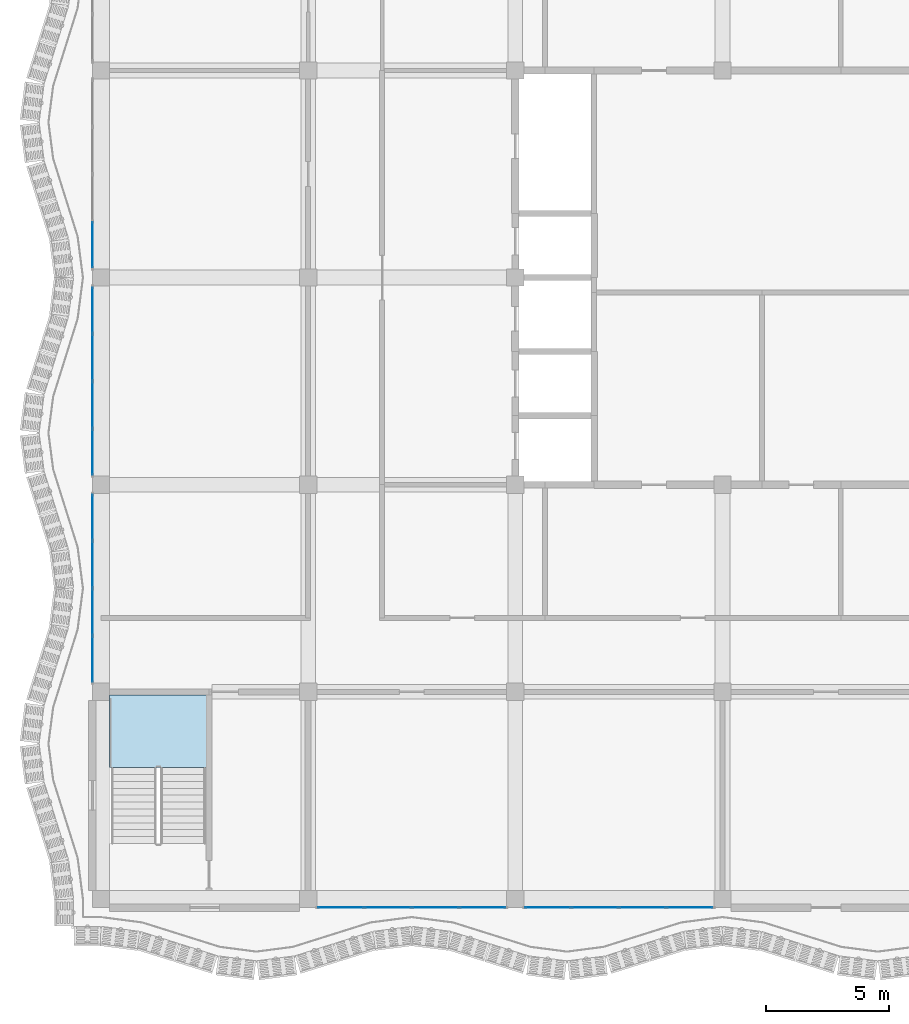
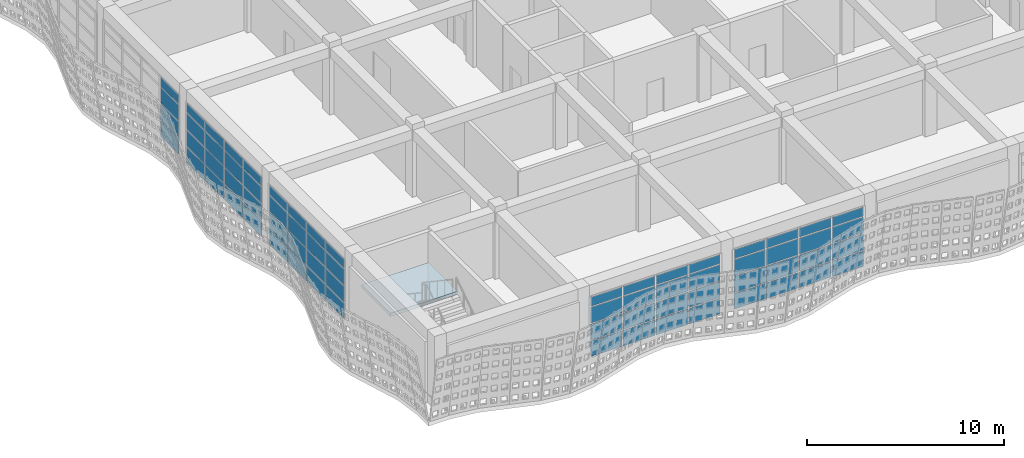
# One storey, part 96 of 163: 68 plates, 1 slab, 6 elements without a shape of their own.
"""IFC4 building model written with IfcOpenShell, lengths in metres."""

from ifc_helpers import new_model, si_unit, direction, frame, origin, origin_2d, place, context, subcontext, project, spatial, polyline, rectangle, outline, extrude, material, layer, layer_set, type_object, element, aggregate, save


model = new_model("IFC4")

# Units and contexts
model_context = context("Model", 3, precision=1e-05, world=origin(), true_north=direction((0.0, 1.0)))
body_context = subcontext(model_context, "Body", "Model", "MODEL_VIEW")
ifc_project = project(units=[si_unit("LENGTHUNIT", "METRE"), si_unit("AREAUNIT", "SQUARE_METRE"), si_unit("VOLUMEUNIT", "CUBIC_METRE"), si_unit("PLANEANGLEUNIT", "RADIAN"), si_unit("MASSUNIT", "GRAM", prefix="KILO")], contexts=[model_context])

# Site, building, storey
site_placement = place(None, origin())
site = spatial("IfcSite", under=ifc_project, at=site_placement, CompositionType="ELEMENT")
building_placement = place(site_placement, origin())
building = spatial("IfcBuilding", under=site, at=building_placement, Name="Rain Tree Exposition and Congress Centre", CompositionType="ELEMENT")
storey_placement = place(building_placement, frame((0.0, 0.0, 10.5)))
storey = spatial("IfcBuildingStorey", under=building, at=storey_placement, Name="L02", CompositionType="ELEMENT", Elevation=10.5)

# Curtain wall, plates
ifc_material_1 = material(Name="Aluminium curtain wall", Category="aluminium")
curtain_wall_type = type_object("IfcCurtainWallType", Name="Wing curtain wall 1925", PredefinedType="NOTDEFINED", material=ifc_material_1)
curtain_wall_1_placement = place(storey_placement, origin())
curtain_wall_1 = element("IfcCurtainWall", 1, at=curtain_wall_1_placement, inside=storey, type_object=curtain_wall_type, Name="Curtain wall CWW301", PredefinedType="NOTDEFINED")
ifc_material_2 = material(Name="Double glazed unit", Category="glass")
ifc_layer_1 = layer(ifc_material_2, 0.028076171875)
ifc_layer_set_1 = layer_set([ifc_layer_1], Name="Double glazed unit")
plate_type = type_object("IfcPlateType", Name="Wing glazing panel 28", PredefinedType="CURTAIN_PANEL", material=ifc_layer_set_1)
plate_1_placement = place(storey_placement, frame((9.7275390625, -0.35009765625, 0.06005859375), z_axis=(0.0, 0.0, 1.0), x_axis=(1.0, 0.0, 0.0)))
plate_1 = element("IfcPlate", 2, at=plate_1_placement, type_object=plate_type, Name="CWW301 panel 1.1", PredefinedType="CURTAIN_PANEL", context=body_context, shape_type="SweptSolid", body=[
    extrude(rectangle(XDim=1.8349609375, YDim=0.028076171875, at=origin_2d()), origin(), (0.0, 0.0, 1.0), 0.9599609375),
])
plate_2_placement = place(storey_placement, frame((9.7275390625, -0.35009765625, 1.080078125), z_axis=(0.0, 0.0, 1.0), x_axis=(1.0, 0.0, 0.0)))
plate_2 = element("IfcPlate", 3, at=plate_2_placement, type_object=plate_type, Name="CWW301 panel 1.2", PredefinedType="CURTAIN_PANEL", context=body_context, shape_type="SweptSolid", body=[
    extrude(rectangle(XDim=1.8349609375, YDim=0.028076171875, at=origin_2d()), origin(), (0.0, 0.0, 1.0), 0.989990234375),
])
plate_3_placement = place(storey_placement, frame((9.7275390625, -0.35009765625, 2.1298828125), z_axis=(0.0, 0.0, 1.0), x_axis=(1.0, 0.0, 0.0)))
plate_3 = element("IfcPlate", 4, at=plate_3_placement, type_object=plate_type, Name="CWW301 panel 1.3", PredefinedType="CURTAIN_PANEL", context=body_context, shape_type="SweptSolid", body=[
    extrude(rectangle(XDim=1.8349609375, YDim=0.028076171875, at=origin_2d()), origin(), (0.0, 0.0, 1.0), 0.989990234375),
])
plate_4_placement = place(storey_placement, frame((9.7275390625, -0.35009765625, 3.179931640625), z_axis=(0.0, 0.0, 1.0), x_axis=(1.0, 0.0, 0.0)))
plate_4 = element("IfcPlate", 5, at=plate_4_placement, type_object=plate_type, Name="CWW301 panel 1.4", PredefinedType="CURTAIN_PANEL", context=body_context, shape_type="SweptSolid", body=[
    extrude(rectangle(XDim=1.8349609375, YDim=0.028076171875, at=origin_2d()), origin(), (0.0, 0.0, 1.0), 0.56005859375),
])
plate_5_placement = place(storey_placement, frame((11.637451171875, -0.35009765625, 0.06005859375), z_axis=(0.0, 0.0, 1.0), x_axis=(1.0, 0.0, 0.0)))
plate_5 = element("IfcPlate", 6, at=plate_5_placement, type_object=plate_type, Name="CWW301 panel 2.1", PredefinedType="CURTAIN_PANEL", context=body_context, shape_type="SweptSolid", body=[
    extrude(rectangle(XDim=1.864990234375, YDim=0.028076171875, at=origin_2d()), origin(), (0.0, 0.0, 1.0), 0.9599609375),
])
plate_6_placement = place(storey_placement, frame((11.637451171875, -0.35009765625, 1.080078125), z_axis=(0.0, 0.0, 1.0), x_axis=(1.0, 0.0, 0.0)))
plate_6 = element("IfcPlate", 7, at=plate_6_placement, type_object=plate_type, Name="CWW301 panel 2.2", PredefinedType="CURTAIN_PANEL", context=body_context, shape_type="SweptSolid", body=[
    extrude(rectangle(XDim=1.864990234375, YDim=0.028076171875, at=origin_2d()), origin(), (0.0, 0.0, 1.0), 0.989990234375),
])
plate_7_placement = place(storey_placement, frame((11.637451171875, -0.35009765625, 2.1298828125), z_axis=(0.0, 0.0, 1.0), x_axis=(1.0, 0.0, 0.0)))
plate_7 = element("IfcPlate", 8, at=plate_7_placement, type_object=plate_type, Name="CWW301 panel 2.3", PredefinedType="CURTAIN_PANEL", context=body_context, shape_type="SweptSolid", body=[
    extrude(rectangle(XDim=1.864990234375, YDim=0.028076171875, at=origin_2d()), origin(), (0.0, 0.0, 1.0), 0.989990234375),
])
plate_8_placement = place(storey_placement, frame((11.637451171875, -0.35009765625, 3.179931640625), z_axis=(0.0, 0.0, 1.0), x_axis=(1.0, 0.0, 0.0)))
plate_8 = element("IfcPlate", 9, at=plate_8_placement, type_object=plate_type, Name="CWW301 panel 2.4", PredefinedType="CURTAIN_PANEL", context=body_context, shape_type="SweptSolid", body=[
    extrude(rectangle(XDim=1.864990234375, YDim=0.028076171875, at=origin_2d()), origin(), (0.0, 0.0, 1.0), 0.56005859375),
])
plate_9_placement = place(storey_placement, frame((13.5625, -0.35009765625, 0.06005859375), z_axis=(0.0, 0.0, 1.0), x_axis=(1.0, 0.0, 0.0)))
plate_9 = element("IfcPlate", 10, at=plate_9_placement, type_object=plate_type, Name="CWW301 panel 3.1", PredefinedType="CURTAIN_PANEL", context=body_context, shape_type="SweptSolid", body=[
    extrude(rectangle(XDim=1.864990234375, YDim=0.028076171875, at=origin_2d()), origin(), (0.0, 0.0, 1.0), 0.9599609375),
])
plate_10_placement = place(storey_placement, frame((13.5625, -0.35009765625, 1.080078125), z_axis=(0.0, 0.0, 1.0), x_axis=(1.0, 0.0, 0.0)))
plate_10 = element("IfcPlate", 11, at=plate_10_placement, type_object=plate_type, Name="CWW301 panel 3.2", PredefinedType="CURTAIN_PANEL", context=body_context, shape_type="SweptSolid", body=[
    extrude(rectangle(XDim=1.864990234375, YDim=0.028076171875, at=origin_2d()), origin(), (0.0, 0.0, 1.0), 0.989990234375),
])
plate_11_placement = place(storey_placement, frame((13.5625, -0.35009765625, 2.1298828125), z_axis=(0.0, 0.0, 1.0), x_axis=(1.0, 0.0, 0.0)))
plate_11 = element("IfcPlate", 12, at=plate_11_placement, type_object=plate_type, Name="CWW301 panel 3.3", PredefinedType="CURTAIN_PANEL", context=body_context, shape_type="SweptSolid", body=[
    extrude(rectangle(XDim=1.864990234375, YDim=0.028076171875, at=origin_2d()), origin(), (0.0, 0.0, 1.0), 0.989990234375),
])
plate_12_placement = place(storey_placement, frame((13.5625, -0.35009765625, 3.179931640625), z_axis=(0.0, 0.0, 1.0), x_axis=(1.0, 0.0, 0.0)))
plate_12 = element("IfcPlate", 13, at=plate_12_placement, type_object=plate_type, Name="CWW301 panel 3.4", PredefinedType="CURTAIN_PANEL", context=body_context, shape_type="SweptSolid", body=[
    extrude(rectangle(XDim=1.864990234375, YDim=0.028076171875, at=origin_2d()), origin(), (0.0, 0.0, 1.0), 0.56005859375),
])
plate_13_placement = place(storey_placement, frame((15.472412109375, -0.35009765625, 0.06005859375), z_axis=(0.0, 0.0, 1.0), x_axis=(1.0, 0.0, 0.0)))
plate_13 = element("IfcPlate", 14, at=plate_13_placement, type_object=plate_type, Name="CWW301 panel 4.1", PredefinedType="CURTAIN_PANEL", context=body_context, shape_type="SweptSolid", body=[
    extrude(rectangle(XDim=1.8349609375, YDim=0.028076171875, at=origin_2d()), origin(), (0.0, 0.0, 1.0), 0.9599609375),
])
plate_14_placement = place(storey_placement, frame((15.472412109375, -0.35009765625, 1.080078125), z_axis=(0.0, 0.0, 1.0), x_axis=(1.0, 0.0, 0.0)))
plate_14 = element("IfcPlate", 15, at=plate_14_placement, type_object=plate_type, Name="CWW301 panel 4.2", PredefinedType="CURTAIN_PANEL", context=body_context, shape_type="SweptSolid", body=[
    extrude(rectangle(XDim=1.8349609375, YDim=0.028076171875, at=origin_2d()), origin(), (0.0, 0.0, 1.0), 0.989990234375),
])
plate_15_placement = place(storey_placement, frame((15.472412109375, -0.35009765625, 2.1298828125), z_axis=(0.0, 0.0, 1.0), x_axis=(1.0, 0.0, 0.0)))
plate_15 = element("IfcPlate", 16, at=plate_15_placement, type_object=plate_type, Name="CWW301 panel 4.3", PredefinedType="CURTAIN_PANEL", context=body_context, shape_type="SweptSolid", body=[
    extrude(rectangle(XDim=1.8349609375, YDim=0.028076171875, at=origin_2d()), origin(), (0.0, 0.0, 1.0), 0.989990234375),
])
plate_16_placement = place(storey_placement, frame((15.472412109375, -0.35009765625, 3.179931640625), z_axis=(0.0, 0.0, 1.0), x_axis=(1.0, 0.0, 0.0)))
plate_16 = element("IfcPlate", 17, at=plate_16_placement, type_object=plate_type, Name="CWW301 panel 4.4", PredefinedType="CURTAIN_PANEL", context=body_context, shape_type="SweptSolid", body=[
    extrude(rectangle(XDim=1.8349609375, YDim=0.028076171875, at=origin_2d()), origin(), (0.0, 0.0, 1.0), 0.56005859375),
])
aggregate(curtain_wall_1, [plate_1, plate_2, plate_3, plate_4, plate_5, plate_6, plate_7, plate_8, plate_9, plate_10, plate_11, plate_12, plate_13, plate_14, plate_15, plate_16])

curtain_wall_2_placement = place(storey_placement, origin())
curtain_wall_2 = element("IfcCurtainWall", 18, at=curtain_wall_2_placement, inside=storey, type_object=curtain_wall_type, Name="Curtain wall CWW302", PredefinedType="NOTDEFINED")
plate_17_placement = place(storey_placement, frame((18.12744140625, -0.35009765625, 0.06005859375), z_axis=(0.0, 0.0, 1.0), x_axis=(1.0, 0.0, 0.0)))
plate_17 = element("IfcPlate", 19, at=plate_17_placement, type_object=plate_type, Name="CWW302 panel 1.1", PredefinedType="CURTAIN_PANEL", context=body_context, shape_type="SweptSolid", body=[
    extrude(rectangle(XDim=1.8349609375, YDim=0.028076171875, at=origin_2d()), origin(), (0.0, 0.0, 1.0), 0.9599609375),
])
plate_18_placement = place(storey_placement, frame((18.12744140625, -0.35009765625, 1.080078125), z_axis=(0.0, 0.0, 1.0), x_axis=(1.0, 0.0, 0.0)))
plate_18 = element("IfcPlate", 20, at=plate_18_placement, type_object=plate_type, Name="CWW302 panel 1.2", PredefinedType="CURTAIN_PANEL", context=body_context, shape_type="SweptSolid", body=[
    extrude(rectangle(XDim=1.8349609375, YDim=0.028076171875, at=origin_2d()), origin(), (0.0, 0.0, 1.0), 0.989990234375),
])
plate_19_placement = place(storey_placement, frame((18.12744140625, -0.35009765625, 2.1298828125), z_axis=(0.0, 0.0, 1.0), x_axis=(1.0, 0.0, 0.0)))
plate_19 = element("IfcPlate", 21, at=plate_19_placement, type_object=plate_type, Name="CWW302 panel 1.3", PredefinedType="CURTAIN_PANEL", context=body_context, shape_type="SweptSolid", body=[
    extrude(rectangle(XDim=1.8349609375, YDim=0.028076171875, at=origin_2d()), origin(), (0.0, 0.0, 1.0), 0.989990234375),
])
plate_20_placement = place(storey_placement, frame((18.12744140625, -0.35009765625, 3.179931640625), z_axis=(0.0, 0.0, 1.0), x_axis=(1.0, 0.0, 0.0)))
plate_20 = element("IfcPlate", 22, at=plate_20_placement, type_object=plate_type, Name="CWW302 panel 1.4", PredefinedType="CURTAIN_PANEL", context=body_context, shape_type="SweptSolid", body=[
    extrude(rectangle(XDim=1.8349609375, YDim=0.028076171875, at=origin_2d()), origin(), (0.0, 0.0, 1.0), 0.56005859375),
])
plate_21_placement = place(storey_placement, frame((20.03759765625, -0.35009765625, 0.06005859375), z_axis=(0.0, 0.0, 1.0), x_axis=(1.0, 0.0, 0.0)))
plate_21 = element("IfcPlate", 23, at=plate_21_placement, type_object=plate_type, Name="CWW302 panel 2.1", PredefinedType="CURTAIN_PANEL", context=body_context, shape_type="SweptSolid", body=[
    extrude(rectangle(XDim=1.864990234375, YDim=0.028076171875, at=origin_2d()), origin(), (0.0, 0.0, 1.0), 0.9599609375),
])
plate_22_placement = place(storey_placement, frame((20.03759765625, -0.35009765625, 1.080078125), z_axis=(0.0, 0.0, 1.0), x_axis=(1.0, 0.0, 0.0)))
plate_22 = element("IfcPlate", 24, at=plate_22_placement, type_object=plate_type, Name="CWW302 panel 2.2", PredefinedType="CURTAIN_PANEL", context=body_context, shape_type="SweptSolid", body=[
    extrude(rectangle(XDim=1.864990234375, YDim=0.028076171875, at=origin_2d()), origin(), (0.0, 0.0, 1.0), 0.989990234375),
])
plate_23_placement = place(storey_placement, frame((20.03759765625, -0.35009765625, 2.1298828125), z_axis=(0.0, 0.0, 1.0), x_axis=(1.0, 0.0, 0.0)))
plate_23 = element("IfcPlate", 25, at=plate_23_placement, type_object=plate_type, Name="CWW302 panel 2.3", PredefinedType="CURTAIN_PANEL", context=body_context, shape_type="SweptSolid", body=[
    extrude(rectangle(XDim=1.864990234375, YDim=0.028076171875, at=origin_2d()), origin(), (0.0, 0.0, 1.0), 0.989990234375),
])
plate_24_placement = place(storey_placement, frame((20.03759765625, -0.35009765625, 3.179931640625), z_axis=(0.0, 0.0, 1.0), x_axis=(1.0, 0.0, 0.0)))
plate_24 = element("IfcPlate", 26, at=plate_24_placement, type_object=plate_type, Name="CWW302 panel 2.4", PredefinedType="CURTAIN_PANEL", context=body_context, shape_type="SweptSolid", body=[
    extrude(rectangle(XDim=1.864990234375, YDim=0.028076171875, at=origin_2d()), origin(), (0.0, 0.0, 1.0), 0.56005859375),
])
plate_25_placement = place(storey_placement, frame((21.96240234375, -0.35009765625, 0.06005859375), z_axis=(0.0, 0.0, 1.0), x_axis=(1.0, 0.0, 0.0)))
plate_25 = element("IfcPlate", 27, at=plate_25_placement, type_object=plate_type, Name="CWW302 panel 3.1", PredefinedType="CURTAIN_PANEL", context=body_context, shape_type="SweptSolid", body=[
    extrude(rectangle(XDim=1.864990234375, YDim=0.028076171875, at=origin_2d()), origin(), (0.0, 0.0, 1.0), 0.9599609375),
])
plate_26_placement = place(storey_placement, frame((21.96240234375, -0.35009765625, 1.080078125), z_axis=(0.0, 0.0, 1.0), x_axis=(1.0, 0.0, 0.0)))
plate_26 = element("IfcPlate", 28, at=plate_26_placement, type_object=plate_type, Name="CWW302 panel 3.2", PredefinedType="CURTAIN_PANEL", context=body_context, shape_type="SweptSolid", body=[
    extrude(rectangle(XDim=1.864990234375, YDim=0.028076171875, at=origin_2d()), origin(), (0.0, 0.0, 1.0), 0.989990234375),
])
plate_27_placement = place(storey_placement, frame((21.96240234375, -0.35009765625, 2.1298828125), z_axis=(0.0, 0.0, 1.0), x_axis=(1.0, 0.0, 0.0)))
plate_27 = element("IfcPlate", 29, at=plate_27_placement, type_object=plate_type, Name="CWW302 panel 3.3", PredefinedType="CURTAIN_PANEL", context=body_context, shape_type="SweptSolid", body=[
    extrude(rectangle(XDim=1.864990234375, YDim=0.028076171875, at=origin_2d()), origin(), (0.0, 0.0, 1.0), 0.989990234375),
])
plate_28_placement = place(storey_placement, frame((21.96240234375, -0.35009765625, 3.179931640625), z_axis=(0.0, 0.0, 1.0), x_axis=(1.0, 0.0, 0.0)))
plate_28 = element("IfcPlate", 30, at=plate_28_placement, type_object=plate_type, Name="CWW302 panel 3.4", PredefinedType="CURTAIN_PANEL", context=body_context, shape_type="SweptSolid", body=[
    extrude(rectangle(XDim=1.864990234375, YDim=0.028076171875, at=origin_2d()), origin(), (0.0, 0.0, 1.0), 0.56005859375),
])
plate_29_placement = place(storey_placement, frame((23.87255859375, -0.35009765625, 0.06005859375), z_axis=(0.0, 0.0, 1.0), x_axis=(1.0, 0.0, 0.0)))
plate_29 = element("IfcPlate", 31, at=plate_29_placement, type_object=plate_type, Name="CWW302 panel 4.1", PredefinedType="CURTAIN_PANEL", context=body_context, shape_type="SweptSolid", body=[
    extrude(rectangle(XDim=1.8349609375, YDim=0.028076171875, at=origin_2d()), origin(), (0.0, 0.0, 1.0), 0.9599609375),
])
plate_30_placement = place(storey_placement, frame((23.87255859375, -0.35009765625, 1.080078125), z_axis=(0.0, 0.0, 1.0), x_axis=(1.0, 0.0, 0.0)))
plate_30 = element("IfcPlate", 32, at=plate_30_placement, type_object=plate_type, Name="CWW302 panel 4.2", PredefinedType="CURTAIN_PANEL", context=body_context, shape_type="SweptSolid", body=[
    extrude(rectangle(XDim=1.8349609375, YDim=0.028076171875, at=origin_2d()), origin(), (0.0, 0.0, 1.0), 0.989990234375),
])
plate_31_placement = place(storey_placement, frame((23.87255859375, -0.35009765625, 2.1298828125), z_axis=(0.0, 0.0, 1.0), x_axis=(1.0, 0.0, 0.0)))
plate_31 = element("IfcPlate", 33, at=plate_31_placement, type_object=plate_type, Name="CWW302 panel 4.3", PredefinedType="CURTAIN_PANEL", context=body_context, shape_type="SweptSolid", body=[
    extrude(rectangle(XDim=1.8349609375, YDim=0.028076171875, at=origin_2d()), origin(), (0.0, 0.0, 1.0), 0.989990234375),
])
plate_32_placement = place(storey_placement, frame((23.87255859375, -0.35009765625, 3.179931640625), z_axis=(0.0, 0.0, 1.0), x_axis=(1.0, 0.0, 0.0)))
plate_32 = element("IfcPlate", 34, at=plate_32_placement, type_object=plate_type, Name="CWW302 panel 4.4", PredefinedType="CURTAIN_PANEL", context=body_context, shape_type="SweptSolid", body=[
    extrude(rectangle(XDim=1.8349609375, YDim=0.028076171875, at=origin_2d()), origin(), (0.0, 0.0, 1.0), 0.56005859375),
])
aggregate(curtain_wall_2, [plate_17, plate_18, plate_19, plate_20, plate_21, plate_22, plate_23, plate_24, plate_25, plate_26, plate_27, plate_28, plate_29, plate_30, plate_31, plate_32])

curtain_wall_3_placement = place(storey_placement, origin())
curtain_wall_3 = element("IfcCurtainWall", 35, at=curtain_wall_3_placement, inside=storey, type_object=curtain_wall_type, Name="Curtain wall CWW308", PredefinedType="NOTDEFINED")
plate_33_placement = place(storey_placement, frame((-0.35009765625, 9.7275390625, 0.06005859375), z_axis=(0.0, 0.0, 1.0), x_axis=(0.0, 1.0, 0.0)))
plate_33 = element("IfcPlate", 36, at=plate_33_placement, type_object=plate_type, Name="CWW308 panel 1.1", PredefinedType="CURTAIN_PANEL", context=body_context, shape_type="SweptSolid", body=[
    extrude(rectangle(XDim=1.8349609375, YDim=0.028076171875, at=origin_2d()), origin(), (0.0, 0.0, 1.0), 0.9599609375),
])
plate_34_placement = place(storey_placement, frame((-0.35009765625, 9.7275390625, 1.080078125), z_axis=(0.0, 0.0, 1.0), x_axis=(0.0, 1.0, 0.0)))
plate_34 = element("IfcPlate", 37, at=plate_34_placement, type_object=plate_type, Name="CWW308 panel 1.2", PredefinedType="CURTAIN_PANEL", context=body_context, shape_type="SweptSolid", body=[
    extrude(rectangle(XDim=1.8349609375, YDim=0.028076171875, at=origin_2d()), origin(), (0.0, 0.0, 1.0), 0.989990234375),
])
plate_35_placement = place(storey_placement, frame((-0.35009765625, 9.7275390625, 2.1298828125), z_axis=(0.0, 0.0, 1.0), x_axis=(0.0, 1.0, 0.0)))
plate_35 = element("IfcPlate", 38, at=plate_35_placement, type_object=plate_type, Name="CWW308 panel 1.3", PredefinedType="CURTAIN_PANEL", context=body_context, shape_type="SweptSolid", body=[
    extrude(rectangle(XDim=1.8349609375, YDim=0.028076171875, at=origin_2d()), origin(), (0.0, 0.0, 1.0), 0.989990234375),
])
plate_36_placement = place(storey_placement, frame((-0.35009765625, 9.7275390625, 3.179931640625), z_axis=(0.0, 0.0, 1.0), x_axis=(0.0, 1.0, 0.0)))
plate_36 = element("IfcPlate", 39, at=plate_36_placement, type_object=plate_type, Name="CWW308 panel 1.4", PredefinedType="CURTAIN_PANEL", context=body_context, shape_type="SweptSolid", body=[
    extrude(rectangle(XDim=1.8349609375, YDim=0.028076171875, at=origin_2d()), origin(), (0.0, 0.0, 1.0), 0.56005859375),
])
plate_37_placement = place(storey_placement, frame((-0.35009765625, 11.637451171875, 0.06005859375), z_axis=(0.0, 0.0, 1.0), x_axis=(0.0, 1.0, 0.0)))
plate_37 = element("IfcPlate", 40, at=plate_37_placement, type_object=plate_type, Name="CWW308 panel 2.1", PredefinedType="CURTAIN_PANEL", context=body_context, shape_type="SweptSolid", body=[
    extrude(rectangle(XDim=1.864990234375, YDim=0.028076171875, at=origin_2d()), origin(), (0.0, 0.0, 1.0), 0.9599609375),
])
plate_38_placement = place(storey_placement, frame((-0.35009765625, 11.637451171875, 1.080078125), z_axis=(0.0, 0.0, 1.0), x_axis=(0.0, 1.0, 0.0)))
plate_38 = element("IfcPlate", 41, at=plate_38_placement, type_object=plate_type, Name="CWW308 panel 2.2", PredefinedType="CURTAIN_PANEL", context=body_context, shape_type="SweptSolid", body=[
    extrude(rectangle(XDim=1.864990234375, YDim=0.028076171875, at=origin_2d()), origin(), (0.0, 0.0, 1.0), 0.989990234375),
])
plate_39_placement = place(storey_placement, frame((-0.35009765625, 11.637451171875, 2.1298828125), z_axis=(0.0, 0.0, 1.0), x_axis=(0.0, 1.0, 0.0)))
plate_39 = element("IfcPlate", 42, at=plate_39_placement, type_object=plate_type, Name="CWW308 panel 2.3", PredefinedType="CURTAIN_PANEL", context=body_context, shape_type="SweptSolid", body=[
    extrude(rectangle(XDim=1.864990234375, YDim=0.028076171875, at=origin_2d()), origin(), (0.0, 0.0, 1.0), 0.989990234375),
])
plate_40_placement = place(storey_placement, frame((-0.35009765625, 11.637451171875, 3.179931640625), z_axis=(0.0, 0.0, 1.0), x_axis=(0.0, 1.0, 0.0)))
plate_40 = element("IfcPlate", 43, at=plate_40_placement, type_object=plate_type, Name="CWW308 panel 2.4", PredefinedType="CURTAIN_PANEL", context=body_context, shape_type="SweptSolid", body=[
    extrude(rectangle(XDim=1.864990234375, YDim=0.028076171875, at=origin_2d()), origin(), (0.0, 0.0, 1.0), 0.56005859375),
])
plate_41_placement = place(storey_placement, frame((-0.35009765625, 13.5625, 0.06005859375), z_axis=(0.0, 0.0, 1.0), x_axis=(0.0, 1.0, 0.0)))
plate_41 = element("IfcPlate", 44, at=plate_41_placement, type_object=plate_type, Name="CWW308 panel 3.1", PredefinedType="CURTAIN_PANEL", context=body_context, shape_type="SweptSolid", body=[
    extrude(rectangle(XDim=1.864990234375, YDim=0.028076171875, at=origin_2d()), origin(), (0.0, 0.0, 1.0), 0.9599609375),
])
plate_42_placement = place(storey_placement, frame((-0.35009765625, 13.5625, 1.080078125), z_axis=(0.0, 0.0, 1.0), x_axis=(0.0, 1.0, 0.0)))
plate_42 = element("IfcPlate", 45, at=plate_42_placement, type_object=plate_type, Name="CWW308 panel 3.2", PredefinedType="CURTAIN_PANEL", context=body_context, shape_type="SweptSolid", body=[
    extrude(rectangle(XDim=1.864990234375, YDim=0.028076171875, at=origin_2d()), origin(), (0.0, 0.0, 1.0), 0.989990234375),
])
plate_43_placement = place(storey_placement, frame((-0.35009765625, 13.5625, 2.1298828125), z_axis=(0.0, 0.0, 1.0), x_axis=(0.0, 1.0, 0.0)))
plate_43 = element("IfcPlate", 46, at=plate_43_placement, type_object=plate_type, Name="CWW308 panel 3.3", PredefinedType="CURTAIN_PANEL", context=body_context, shape_type="SweptSolid", body=[
    extrude(rectangle(XDim=1.864990234375, YDim=0.028076171875, at=origin_2d()), origin(), (0.0, 0.0, 1.0), 0.989990234375),
])
plate_44_placement = place(storey_placement, frame((-0.35009765625, 13.5625, 3.179931640625), z_axis=(0.0, 0.0, 1.0), x_axis=(0.0, 1.0, 0.0)))
plate_44 = element("IfcPlate", 47, at=plate_44_placement, type_object=plate_type, Name="CWW308 panel 3.4", PredefinedType="CURTAIN_PANEL", context=body_context, shape_type="SweptSolid", body=[
    extrude(rectangle(XDim=1.864990234375, YDim=0.028076171875, at=origin_2d()), origin(), (0.0, 0.0, 1.0), 0.56005859375),
])
plate_45_placement = place(storey_placement, frame((-0.35009765625, 15.472412109375, 0.06005859375), z_axis=(0.0, 0.0, 1.0), x_axis=(0.0, 1.0, 0.0)))
plate_45 = element("IfcPlate", 48, at=plate_45_placement, type_object=plate_type, Name="CWW308 panel 4.1", PredefinedType="CURTAIN_PANEL", context=body_context, shape_type="SweptSolid", body=[
    extrude(rectangle(XDim=1.8349609375, YDim=0.028076171875, at=origin_2d()), origin(), (0.0, 0.0, 1.0), 0.9599609375),
])
plate_46_placement = place(storey_placement, frame((-0.35009765625, 15.472412109375, 1.080078125), z_axis=(0.0, 0.0, 1.0), x_axis=(0.0, 1.0, 0.0)))
plate_46 = element("IfcPlate", 49, at=plate_46_placement, type_object=plate_type, Name="CWW308 panel 4.2", PredefinedType="CURTAIN_PANEL", context=body_context, shape_type="SweptSolid", body=[
    extrude(rectangle(XDim=1.8349609375, YDim=0.028076171875, at=origin_2d()), origin(), (0.0, 0.0, 1.0), 0.989990234375),
])
plate_47_placement = place(storey_placement, frame((-0.35009765625, 15.472412109375, 2.1298828125), z_axis=(0.0, 0.0, 1.0), x_axis=(0.0, 1.0, 0.0)))
plate_47 = element("IfcPlate", 50, at=plate_47_placement, type_object=plate_type, Name="CWW308 panel 4.3", PredefinedType="CURTAIN_PANEL", context=body_context, shape_type="SweptSolid", body=[
    extrude(rectangle(XDim=1.8349609375, YDim=0.028076171875, at=origin_2d()), origin(), (0.0, 0.0, 1.0), 0.989990234375),
])
plate_48_placement = place(storey_placement, frame((-0.35009765625, 15.472412109375, 3.179931640625), z_axis=(0.0, 0.0, 1.0), x_axis=(0.0, 1.0, 0.0)))
plate_48 = element("IfcPlate", 51, at=plate_48_placement, type_object=plate_type, Name="CWW308 panel 4.4", PredefinedType="CURTAIN_PANEL", context=body_context, shape_type="SweptSolid", body=[
    extrude(rectangle(XDim=1.8349609375, YDim=0.028076171875, at=origin_2d()), origin(), (0.0, 0.0, 1.0), 0.56005859375),
])
aggregate(curtain_wall_3, [plate_33, plate_34, plate_35, plate_36, plate_37, plate_38, plate_39, plate_40, plate_41, plate_42, plate_43, plate_44, plate_45, plate_46, plate_47, plate_48])

curtain_wall_4_placement = place(storey_placement, origin())
curtain_wall_4 = element("IfcCurtainWall", 52, at=curtain_wall_4_placement, inside=storey, type_object=curtain_wall_type, Name="Curtain wall CWW309", PredefinedType="NOTDEFINED")
plate_49_placement = place(storey_placement, frame((-0.35009765625, 18.12744140625, 0.06005859375), z_axis=(0.0, 0.0, 1.0), x_axis=(0.0, 1.0, 0.0)))
plate_49 = element("IfcPlate", 53, at=plate_49_placement, type_object=plate_type, Name="CWW309 panel 1.1", PredefinedType="CURTAIN_PANEL", context=body_context, shape_type="SweptSolid", body=[
    extrude(rectangle(XDim=1.8349609375, YDim=0.028076171875, at=origin_2d()), origin(), (0.0, 0.0, 1.0), 0.9599609375),
])
plate_50_placement = place(storey_placement, frame((-0.35009765625, 18.12744140625, 1.080078125), z_axis=(0.0, 0.0, 1.0), x_axis=(0.0, 1.0, 0.0)))
plate_50 = element("IfcPlate", 54, at=plate_50_placement, type_object=plate_type, Name="CWW309 panel 1.2", PredefinedType="CURTAIN_PANEL", context=body_context, shape_type="SweptSolid", body=[
    extrude(rectangle(XDim=1.8349609375, YDim=0.028076171875, at=origin_2d()), origin(), (0.0, 0.0, 1.0), 0.989990234375),
])
plate_51_placement = place(storey_placement, frame((-0.35009765625, 18.12744140625, 2.1298828125), z_axis=(0.0, 0.0, 1.0), x_axis=(0.0, 1.0, 0.0)))
plate_51 = element("IfcPlate", 55, at=plate_51_placement, type_object=plate_type, Name="CWW309 panel 1.3", PredefinedType="CURTAIN_PANEL", context=body_context, shape_type="SweptSolid", body=[
    extrude(rectangle(XDim=1.8349609375, YDim=0.028076171875, at=origin_2d()), origin(), (0.0, 0.0, 1.0), 0.989990234375),
])
plate_52_placement = place(storey_placement, frame((-0.35009765625, 18.12744140625, 3.179931640625), z_axis=(0.0, 0.0, 1.0), x_axis=(0.0, 1.0, 0.0)))
plate_52 = element("IfcPlate", 56, at=plate_52_placement, type_object=plate_type, Name="CWW309 panel 1.4", PredefinedType="CURTAIN_PANEL", context=body_context, shape_type="SweptSolid", body=[
    extrude(rectangle(XDim=1.8349609375, YDim=0.028076171875, at=origin_2d()), origin(), (0.0, 0.0, 1.0), 0.56005859375),
])
plate_53_placement = place(storey_placement, frame((-0.35009765625, 20.03759765625, 0.06005859375), z_axis=(0.0, 0.0, 1.0), x_axis=(0.0, 1.0, 0.0)))
plate_53 = element("IfcPlate", 57, at=plate_53_placement, type_object=plate_type, Name="CWW309 panel 2.1", PredefinedType="CURTAIN_PANEL", context=body_context, shape_type="SweptSolid", body=[
    extrude(rectangle(XDim=1.864990234375, YDim=0.028076171875, at=origin_2d()), origin(), (0.0, 0.0, 1.0), 0.9599609375),
])
plate_54_placement = place(storey_placement, frame((-0.35009765625, 20.03759765625, 1.080078125), z_axis=(0.0, 0.0, 1.0), x_axis=(0.0, 1.0, 0.0)))
plate_54 = element("IfcPlate", 58, at=plate_54_placement, type_object=plate_type, Name="CWW309 panel 2.2", PredefinedType="CURTAIN_PANEL", context=body_context, shape_type="SweptSolid", body=[
    extrude(rectangle(XDim=1.864990234375, YDim=0.028076171875, at=origin_2d()), origin(), (0.0, 0.0, 1.0), 0.989990234375),
])
plate_55_placement = place(storey_placement, frame((-0.35009765625, 20.03759765625, 2.1298828125), z_axis=(0.0, 0.0, 1.0), x_axis=(0.0, 1.0, 0.0)))
plate_55 = element("IfcPlate", 59, at=plate_55_placement, type_object=plate_type, Name="CWW309 panel 2.3", PredefinedType="CURTAIN_PANEL", context=body_context, shape_type="SweptSolid", body=[
    extrude(rectangle(XDim=1.864990234375, YDim=0.028076171875, at=origin_2d()), origin(), (0.0, 0.0, 1.0), 0.989990234375),
])
plate_56_placement = place(storey_placement, frame((-0.35009765625, 20.03759765625, 3.179931640625), z_axis=(0.0, 0.0, 1.0), x_axis=(0.0, 1.0, 0.0)))
plate_56 = element("IfcPlate", 60, at=plate_56_placement, type_object=plate_type, Name="CWW309 panel 2.4", PredefinedType="CURTAIN_PANEL", context=body_context, shape_type="SweptSolid", body=[
    extrude(rectangle(XDim=1.864990234375, YDim=0.028076171875, at=origin_2d()), origin(), (0.0, 0.0, 1.0), 0.56005859375),
])
plate_57_placement = place(storey_placement, frame((-0.35009765625, 21.96240234375, 0.06005859375), z_axis=(0.0, 0.0, 1.0), x_axis=(0.0, 1.0, 0.0)))
plate_57 = element("IfcPlate", 61, at=plate_57_placement, type_object=plate_type, Name="CWW309 panel 3.1", PredefinedType="CURTAIN_PANEL", context=body_context, shape_type="SweptSolid", body=[
    extrude(rectangle(XDim=1.864990234375, YDim=0.028076171875, at=origin_2d()), origin(), (0.0, 0.0, 1.0), 0.9599609375),
])
plate_58_placement = place(storey_placement, frame((-0.35009765625, 21.96240234375, 1.080078125), z_axis=(0.0, 0.0, 1.0), x_axis=(0.0, 1.0, 0.0)))
plate_58 = element("IfcPlate", 62, at=plate_58_placement, type_object=plate_type, Name="CWW309 panel 3.2", PredefinedType="CURTAIN_PANEL", context=body_context, shape_type="SweptSolid", body=[
    extrude(rectangle(XDim=1.864990234375, YDim=0.028076171875, at=origin_2d()), origin(), (0.0, 0.0, 1.0), 0.989990234375),
])
plate_59_placement = place(storey_placement, frame((-0.35009765625, 21.96240234375, 2.1298828125), z_axis=(0.0, 0.0, 1.0), x_axis=(0.0, 1.0, 0.0)))
plate_59 = element("IfcPlate", 63, at=plate_59_placement, type_object=plate_type, Name="CWW309 panel 3.3", PredefinedType="CURTAIN_PANEL", context=body_context, shape_type="SweptSolid", body=[
    extrude(rectangle(XDim=1.864990234375, YDim=0.028076171875, at=origin_2d()), origin(), (0.0, 0.0, 1.0), 0.989990234375),
])
plate_60_placement = place(storey_placement, frame((-0.35009765625, 21.96240234375, 3.179931640625), z_axis=(0.0, 0.0, 1.0), x_axis=(0.0, 1.0, 0.0)))
plate_60 = element("IfcPlate", 64, at=plate_60_placement, type_object=plate_type, Name="CWW309 panel 3.4", PredefinedType="CURTAIN_PANEL", context=body_context, shape_type="SweptSolid", body=[
    extrude(rectangle(XDim=1.864990234375, YDim=0.028076171875, at=origin_2d()), origin(), (0.0, 0.0, 1.0), 0.56005859375),
])
plate_61_placement = place(storey_placement, frame((-0.35009765625, 23.87255859375, 0.06005859375), z_axis=(0.0, 0.0, 1.0), x_axis=(0.0, 1.0, 0.0)))
plate_61 = element("IfcPlate", 65, at=plate_61_placement, type_object=plate_type, Name="CWW309 panel 4.1", PredefinedType="CURTAIN_PANEL", context=body_context, shape_type="SweptSolid", body=[
    extrude(rectangle(XDim=1.8349609375, YDim=0.028076171875, at=origin_2d()), origin(), (0.0, 0.0, 1.0), 0.9599609375),
])
plate_62_placement = place(storey_placement, frame((-0.35009765625, 23.87255859375, 1.080078125), z_axis=(0.0, 0.0, 1.0), x_axis=(0.0, 1.0, 0.0)))
plate_62 = element("IfcPlate", 66, at=plate_62_placement, type_object=plate_type, Name="CWW309 panel 4.2", PredefinedType="CURTAIN_PANEL", context=body_context, shape_type="SweptSolid", body=[
    extrude(rectangle(XDim=1.8349609375, YDim=0.028076171875, at=origin_2d()), origin(), (0.0, 0.0, 1.0), 0.989990234375),
])
plate_63_placement = place(storey_placement, frame((-0.35009765625, 23.87255859375, 2.1298828125), z_axis=(0.0, 0.0, 1.0), x_axis=(0.0, 1.0, 0.0)))
plate_63 = element("IfcPlate", 67, at=plate_63_placement, type_object=plate_type, Name="CWW309 panel 4.3", PredefinedType="CURTAIN_PANEL", context=body_context, shape_type="SweptSolid", body=[
    extrude(rectangle(XDim=1.8349609375, YDim=0.028076171875, at=origin_2d()), origin(), (0.0, 0.0, 1.0), 0.989990234375),
])
plate_64_placement = place(storey_placement, frame((-0.35009765625, 23.87255859375, 3.179931640625), z_axis=(0.0, 0.0, 1.0), x_axis=(0.0, 1.0, 0.0)))
plate_64 = element("IfcPlate", 68, at=plate_64_placement, type_object=plate_type, Name="CWW309 panel 4.4", PredefinedType="CURTAIN_PANEL", context=body_context, shape_type="SweptSolid", body=[
    extrude(rectangle(XDim=1.8349609375, YDim=0.028076171875, at=origin_2d()), origin(), (0.0, 0.0, 1.0), 0.56005859375),
])
aggregate(curtain_wall_4, [plate_49, plate_50, plate_51, plate_52, plate_53, plate_54, plate_55, plate_56, plate_57, plate_58, plate_59, plate_60, plate_61, plate_62, plate_63, plate_64])

curtain_wall_5_placement = place(storey_placement, origin())
curtain_wall_5 = element("IfcCurtainWall", 69, at=curtain_wall_5_placement, inside=storey, type_object=curtain_wall_type, Name="Curtain wall CWW310", PredefinedType="NOTDEFINED")
plate_65_placement = place(storey_placement, frame((-0.35009765625, 26.527587890625, 0.06005859375), z_axis=(0.0, 0.0, 1.0), x_axis=(0.0, 1.0, 0.0)))
plate_65 = element("IfcPlate", 70, at=plate_65_placement, type_object=plate_type, Name="CWW310 panel 1.1", PredefinedType="CURTAIN_PANEL", context=body_context, shape_type="SweptSolid", body=[
    extrude(rectangle(XDim=1.8349609375, YDim=0.028076171875, at=origin_2d()), origin(), (0.0, 0.0, 1.0), 0.9599609375),
])
plate_66_placement = place(storey_placement, frame((-0.35009765625, 26.527587890625, 1.080078125), z_axis=(0.0, 0.0, 1.0), x_axis=(0.0, 1.0, 0.0)))
plate_66 = element("IfcPlate", 71, at=plate_66_placement, type_object=plate_type, Name="CWW310 panel 1.2", PredefinedType="CURTAIN_PANEL", context=body_context, shape_type="SweptSolid", body=[
    extrude(rectangle(XDim=1.8349609375, YDim=0.028076171875, at=origin_2d()), origin(), (0.0, 0.0, 1.0), 0.989990234375),
])
plate_67_placement = place(storey_placement, frame((-0.35009765625, 26.527587890625, 2.1298828125), z_axis=(0.0, 0.0, 1.0), x_axis=(0.0, 1.0, 0.0)))
plate_67 = element("IfcPlate", 72, at=plate_67_placement, type_object=plate_type, Name="CWW310 panel 1.3", PredefinedType="CURTAIN_PANEL", context=body_context, shape_type="SweptSolid", body=[
    extrude(rectangle(XDim=1.8349609375, YDim=0.028076171875, at=origin_2d()), origin(), (0.0, 0.0, 1.0), 0.989990234375),
])
plate_68_placement = place(storey_placement, frame((-0.35009765625, 26.527587890625, 3.179931640625), z_axis=(0.0, 0.0, 1.0), x_axis=(0.0, 1.0, 0.0)))
plate_68 = element("IfcPlate", 73, at=plate_68_placement, type_object=plate_type, Name="CWW310 panel 1.4", PredefinedType="CURTAIN_PANEL", context=body_context, shape_type="SweptSolid", body=[
    extrude(rectangle(XDim=1.8349609375, YDim=0.028076171875, at=origin_2d()), origin(), (0.0, 0.0, 1.0), 0.56005859375),
])
aggregate(curtain_wall_5, [plate_65, plate_66, plate_67, plate_68])

# Stair, slab
ifc_material_3 = material(Name="Precast concrete C50/60", Category="concrete")
stair_type = type_object("IfcStairType", Name="Wing dog-leg stair 1850", PredefinedType="HALF_TURN_STAIR", material=ifc_material_3)
stair_placement = place(storey_placement, origin())
stair = element("IfcStair", 74, at=stair_placement, inside=storey, type_object=stair_type, Name="L02 ST-W1", PredefinedType="HALF_TURN_STAIR")
ifc_material_4 = material(Name="Precast concrete C50/60", Category="concrete")
ifc_layer_2 = layer(ifc_material_4, 0.199951171875)
ifc_layer_set_2 = layer_set([ifc_layer_2], Name="Precast concrete C50/60")
slab_type = type_object("IfcSlabType", Name="Wing stair landing 200", PredefinedType="LANDING", material=ifc_layer_set_2)
slab_placement = place(storey_placement, frame((0.0, 0.0, 2.050048828125)))
slab = element("IfcSlab", 75, at=slab_placement, type_object=slab_type, Name="ST-W1 landing 1", PredefinedType="LANDING", context=body_context, shape_type="SweptSolid", body=[
    extrude(outline(polyline([(4.27490234375, 5.330078125), (4.27490234375, 8.278076171875), (0.346923828125, 8.278076171875), (0.346923828125, 5.330078125), (4.27490234375, 5.330078125)])), origin(), (0.0, 0.0, 1.0), 0.199951171875),
])
aggregate(stair, [slab])

save(model, "model.ifc")
